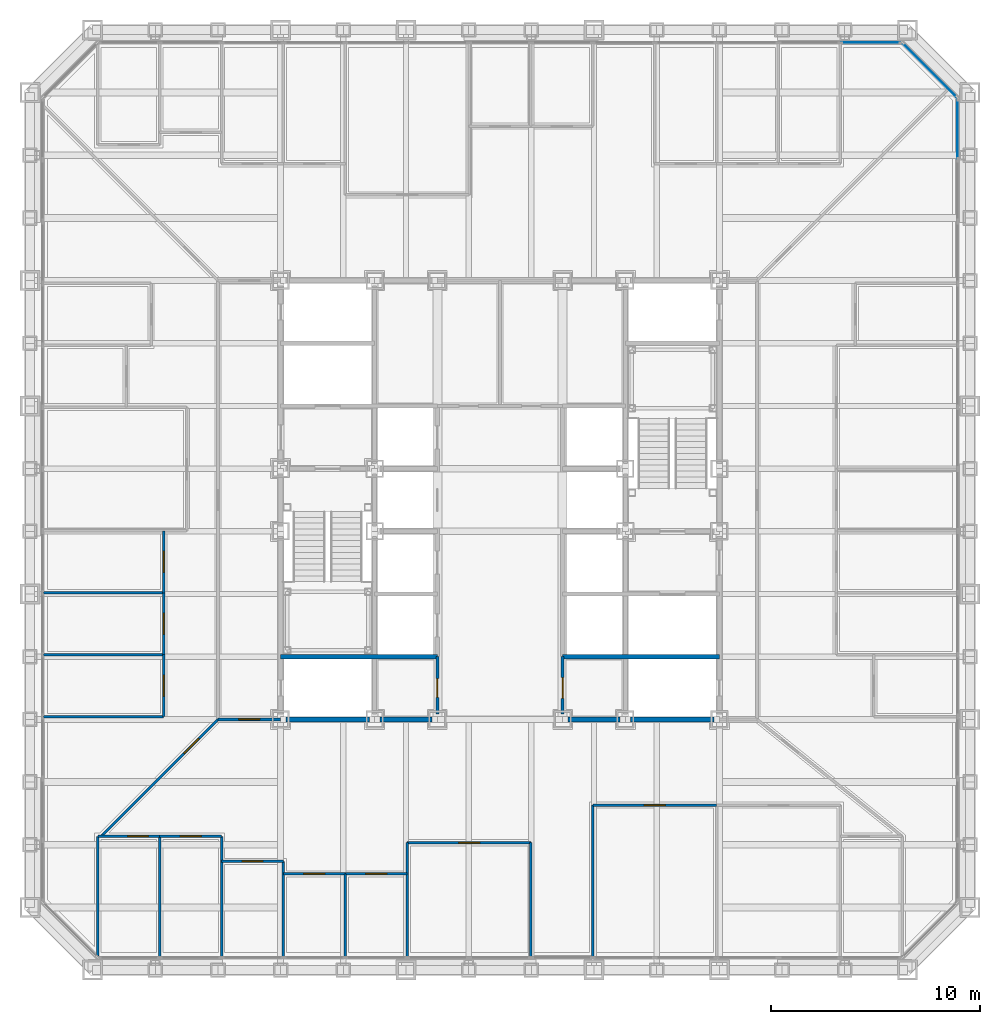
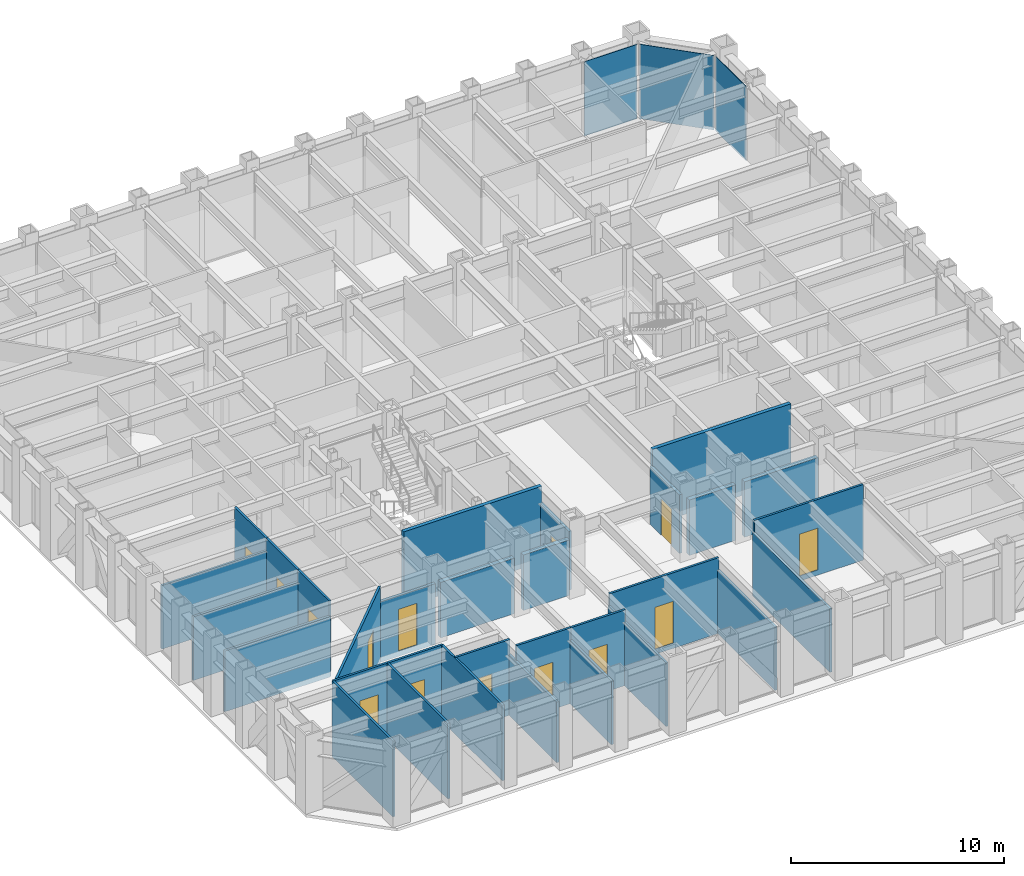
# One storey, part 8 of 17: 31 walls, 14 doors, 3 plates, 14 openings, 3 elements without a shape of their own.
"""IFC4 building model written with IfcOpenShell, lengths in metres."""

from ifc_helpers import new_model, si_unit, direction, frame, frame_2d, origin, origin_2d, place, context, subcontext, project, spatial, rectangle, extrude, material, layer, layer_set, type_object, element, fill, aggregate, save


model = new_model("IFC4")

# Units and contexts
model_context = context("Model", 3, precision=1e-05, world=origin(), true_north=direction((0.0, 1.0)))
body_context = subcontext(model_context, "Body", "Model", "MODEL_VIEW")
ifc_project = project(units=[si_unit("LENGTHUNIT", "METRE"), si_unit("AREAUNIT", "SQUARE_METRE"), si_unit("VOLUMEUNIT", "CUBIC_METRE"), si_unit("PLANEANGLEUNIT", "RADIAN"), si_unit("MASSUNIT", "GRAM", prefix="KILO")], contexts=[model_context])

# Site, building, storey
site_placement = place(None, origin())
site = spatial("IfcSite", under=ifc_project, at=site_placement, CompositionType="ELEMENT")
building_placement = place(site_placement, origin())
building = spatial("IfcBuilding", under=site, at=building_placement, Name="Chuquiago Exchange Tower", CompositionType="ELEMENT")
storey_placement = place(building_placement, frame((0.0, 0.0, 46.800048828125)))
storey = spatial("IfcBuildingStorey", under=building, at=storey_placement, Name="L09", CompositionType="ELEMENT", Elevation=46.800048828125)

# Curtain wall, plate
ifc_material_1 = material(Name="Aluminium curtain wall system", Category="aluminium")
ifc_layer_1 = layer(ifc_material_1, 0.25)
ifc_layer_set_1 = layer_set([ifc_layer_1], Name="CW1 trading floor curtain wall")
curtain_wall_type_1 = type_object("IfcCurtainWallType", Name="CW1 trading floor curtain wall", PredefinedType="NOTDEFINED", material=ifc_layer_set_1)
curtain_wall_1_placement = place(storey_placement, origin())
curtain_wall_1 = element("IfcCurtainWall", 1, at=curtain_wall_1_placement, inside=storey, type_object=curtain_wall_type_1, Name="CW1 curtain wall L09", PredefinedType="NOTDEFINED")
ifc_material_2 = material(Name="Insulated spandrel panel, pale anodised aluminium", Category="aluminium")
ifc_layer_2 = layer(ifc_material_2, 0.031982421875)
ifc_layer_set_2 = layer_set([ifc_layer_2], Name="CW1-P spandrel panel 32")
plate_type_1 = type_object("IfcPlateType", Name="CW1-P spandrel panel 32", PredefinedType="CURTAIN_PANEL", material=ifc_layer_set_2)
plate_1_placement = place(storey_placement, frame((44.39990234375, 40.251953125, -0.22509765625), z_axis=(0.0, 0.0, 1.0), x_axis=(0.0, 1.0, 0.0)))
plate_1 = element("IfcPlate", 2, at=plate_1_placement, type_object=plate_type_1, Name="CW1 panel 13.1", PredefinedType="CURTAIN_PANEL", context=body_context, shape_type="SweptSolid", body=[
    extrude(rectangle(XDim=2.849365234375, YDim=0.031982421875, at=origin_2d()), origin(), (0.0, 0.0, 1.0), 4.264892578125),
])
aggregate(curtain_wall_1, [plate_1])

curtain_wall_2_placement = place(storey_placement, origin())
curtain_wall_2 = element("IfcCurtainWall", 3, at=curtain_wall_2_placement, inside=storey, type_object=curtain_wall_type_1, Name="CW1 curtain wall L09", PredefinedType="NOTDEFINED")
plate_2_placement = place(storey_placement, frame((40.251953125, 44.39990234375, -0.22509765625), z_axis=(0.0, 0.0, 1.0), x_axis=(-1.0, 0.0, 0.0)))
plate_2 = element("IfcPlate", 4, at=plate_2_placement, type_object=plate_type_1, Name="CW1 panel 1.1", PredefinedType="CURTAIN_PANEL", context=body_context, shape_type="SweptSolid", body=[
    extrude(rectangle(XDim=2.849365234375, YDim=0.031982421875, at=origin_2d()), origin(), (0.0, 0.0, 1.0), 4.264892578125),
])
aggregate(curtain_wall_2, [plate_2])

ifc_material_3 = material(Name="Aluminium curtain wall system", Category="aluminium")
ifc_layer_3 = layer(ifc_material_3, 0.199951171875)
ifc_layer_set_3 = layer_set([ifc_layer_3], Name="CW3 facet curtain wall")
curtain_wall_type_2 = type_object("IfcCurtainWallType", Name="CW3 facet curtain wall", PredefinedType="NOTDEFINED", material=ifc_layer_set_3)
curtain_wall_3_placement = place(storey_placement, origin())
curtain_wall_3 = element("IfcCurtainWall", 5, at=curtain_wall_3_placement, inside=storey, type_object=curtain_wall_type_2, Name="CW3 curtain wall L09", PredefinedType="NOTDEFINED")
ifc_material_4 = material(Name="Insulated spandrel panel, pale anodised aluminium", Category="aluminium")
ifc_layer_4 = layer(ifc_material_4, 0.030029296875)
ifc_layer_set_4 = layer_set([ifc_layer_4], Name="CW3-P spandrel panel 30")
plate_type_2 = type_object("IfcPlateType", Name="CW3-P spandrel panel 30", PredefinedType="CURTAIN_PANEL", material=ifc_layer_set_4)
plate_3_placement = place(storey_placement, frame((43.07568359375, 43.07568359375, -0.235107421875), z_axis=(0.0, 0.0, 1.0), x_axis=(-0.707106781187, 0.707106781187, 0.0)))
plate_3 = element("IfcPlate", 6, at=plate_3_placement, type_object=plate_type_2, Name="CW3 panel 1.1", PredefinedType="CURTAIN_PANEL", context=body_context, shape_type="SweptSolid", body=[
    extrude(rectangle(XDim=3.615478515625, YDim=0.030029296875, at=origin_2d()), origin(), (0.0, 0.0, 1.0), 4.27490234375),
])
aggregate(curtain_wall_3, [plate_3])

# Walls
ifc_material_5 = material(Name="Concrete masonry, fully grouted", Category="masonry")
ifc_layer_5 = layer(ifc_material_5, 0.25)
ifc_layer_set_5 = layer_set([ifc_layer_5], Name="W1 core wall 250")
wall_type_1 = type_object("IfcWallType", Name="W1 core wall 250", PredefinedType="SOLIDWALL", material=ifc_layer_set_5)
wall_1_placement = place(storey_placement, frame((12.25, 12.0, 0.0), z_axis=(0.0, 0.0, 1.0), x_axis=(1.0, 0.0, 0.0)))
element("IfcWall", 7, at=wall_1_placement, inside=storey, type_object=wall_type_1, Name="CW-L09-01-0", PredefinedType="SOLIDWALL", context=body_context, shape_type="SweptSolid", body=[
    extrude(rectangle(XDim=4.0, YDim=0.25, at=frame_2d((2.0, 0.0))), origin(), (0.0, 0.0, 1.0), 3.181396484375),
])
for number, where, z_axis, x_axis, name in (
    (8, (16.75, 12.0, 0.0), (0.0, 0.0, 1.0), (1.0, 0.0, 0.0), "CW-L09-01-1"),
    (9, (25.75, 12.0, 0.0), (0.0, 0.0, 1.0), (1.0, 0.0, 0.0), "CW-L09-02-0"),
):
    element("IfcWall", number, at=place(storey_placement, frame(where, z_axis=z_axis, x_axis=x_axis)), inside=storey, type_object=wall_type_1, Name=name, PredefinedType="SOLIDWALL", context=body_context, shape_type="SweptSolid", body=[
        extrude(rectangle(XDim=2.5, YDim=0.25, at=frame_2d((1.25, 0.0))), origin(), (0.0, 0.0, 1.0), 3.181396484375),
    ])
wall_2_placement = place(storey_placement, frame((28.75, 12.0, 0.0), z_axis=(0.0, 0.0, 1.0), x_axis=(1.0, 0.0, 0.0)))
element("IfcWall", 10, at=wall_2_placement, inside=storey, type_object=wall_type_1, Name="CW-L09-02-1", PredefinedType="SOLIDWALL", context=body_context, shape_type="SweptSolid", body=[
    extrude(rectangle(XDim=4.0, YDim=0.25, at=frame_2d((2.0, 0.0))), origin(), (0.0, 0.0, 1.0), 3.181396484375),
])

# Wall, opening, door
ifc_material_6 = material(Name="Gypsum board on steel studs, acoustic insulation", Category="steel")
ifc_layer_6 = layer(ifc_material_6, 0.14990234375)
ifc_layer_set_6 = layer_set([ifc_layer_6], Name="W11 corridor wall 150")
wall_type_2 = type_object("IfcWallType", Name="W11 corridor wall 150", PredefinedType="PARTITIONING", material=ifc_layer_set_6)
wall_3_placement = place(storey_placement, frame((9.0, 12.0, -0.300048828125), z_axis=(0.0, 0.0, 1.0), x_axis=(1.0, 0.0, 0.0)))
wall_3 = element("IfcWall", 11, at=wall_3_placement, inside=storey, type_object=wall_type_2, Name="PW-L09-GWS0", PredefinedType="PARTITIONING", context=body_context, shape_type="SweptSolid", body=[
    extrude(rectangle(XDim=3.0, YDim=0.14990234375, at=frame_2d((1.5, 0.0))), origin(), (0.0, 0.0, 1.0), 3.4814453125),
])
opening_1_placement = place(wall_3_placement, frame((1.0, 0.0, 0.300048828125)))
opening_1 = element("IfcOpeningElement", 12, at=opening_1_placement, cuts=wall_3, Name="Opening L09-052", PredefinedType="OPENING", context=body_context, shape_type="SweptSolid", body=[
    extrude(rectangle(XDim=1.0, YDim=2.39990234375, at=frame_2d((0.5, 1.199951171875))), frame((0.0, 0.0849609375, 0.0), z_axis=(0.0, -1.0, 0.0), x_axis=(1.0, 0.0, 0.0)), (0.0, 0.0, 1.0), 0.169921875),
])
ifc_material_7 = material(Name="Timber door, laminate faced", Category="wood")
door_type_1 = type_object("IfcDoorType", Name="D9 room door 1000x2400", OperationType="SINGLE_SWING_LEFT", PredefinedType="DOOR", material=ifc_material_7)
door_1_placement = place(opening_1_placement, origin())
door_1 = element("IfcDoor", 13, at=door_1_placement, inside=storey, type_object=door_type_1, Name="Team area door", OperationType="SINGLE_SWING_RIGHT", OverallHeight=2.39990234375, OverallWidth=1.0, PredefinedType="DOOR", context=body_context, shape_type="SweptSolid", body=[
    extrude(rectangle(XDim=1.0, YDim=2.39990234375, at=frame_2d((0.5, 1.199951171875))), frame((0.0, 0.02490234375, 0.0), z_axis=(0.0, -1.0, 0.0), x_axis=(1.0, 0.0, 0.0)), (0.0, 0.0, 1.0), 0.050048828125),
])
fill(opening_1, door_1)

# Walls
ifc_material_8 = material(Name="Concrete masonry, fully grouted", Category="masonry")
ifc_layer_7 = layer(ifc_material_8, 0.199951171875)
ifc_layer_set_7 = layer_set([ifc_layer_7], Name="W2 shaft wall 200")
wall_type_3 = type_object("IfcWallType", Name="W2 shaft wall 200", PredefinedType="SOLIDWALL", material=ifc_layer_set_7)
for number, where, z_axis, x_axis, name in (
    (14, (12.0, 15.0, 0.0), (0.0, 0.0, 1.0), (1.0, 0.0, 0.0), "CW-L09-03-0"),
    (15, (25.5, 15.0, 0.0), (0.0, 0.0, 1.0), (1.0, 0.0, 0.0), "CW-L09-04-0"),
):
    element("IfcWall", number, at=place(storey_placement, frame(where, z_axis=z_axis, x_axis=x_axis)), inside=storey, type_object=wall_type_3, Name=name, PredefinedType="SOLIDWALL", context=body_context, shape_type="SweptSolid", body=[
        extrude(rectangle(XDim=7.5, YDim=0.199951171875, at=frame_2d((3.75, 0.0))), origin(), (0.0, 0.0, 1.0), 4.33984375),
    ])

# Wall, opening, door
ifc_material_9 = material(Name="Gypsum board on steel studs", Category="steel")
ifc_layer_8 = layer(ifc_material_9, 0.14990234375)
ifc_layer_set_8 = layer_set([ifc_layer_8], Name="W3 core partition 150")
wall_type_4 = type_object("IfcWallType", Name="W3 core partition 150", PredefinedType="PARTITIONING", material=ifc_layer_set_8)
wall_4_placement = place(storey_placement, frame((19.5, 12.25, 0.0), z_axis=(0.0, 0.0, 1.0), x_axis=(0.0, 1.0, 0.0)))
wall_4 = element("IfcWall", 16, at=wall_4_placement, inside=storey, type_object=wall_type_4, Name="CW-L09-18-0", PredefinedType="PARTITIONING", context=body_context, shape_type="SweptSolid", body=[
    extrude(rectangle(XDim=2.75, YDim=0.14990234375, at=frame_2d((1.375, 0.0))), origin(), (0.0, 0.0, 1.0), 3.364501953125),
])
opening_2_placement = place(wall_4_placement, frame((0.800048828125, 0.0, 0.0)))
opening_2 = element("IfcOpeningElement", 17, at=opening_2_placement, cuts=wall_4, Name="Opening L09-014", PredefinedType="OPENING", context=body_context, shape_type="SweptSolid", body=[
    extrude(rectangle(XDim=0.89990234375, YDim=2.10009765625, at=frame_2d((0.449951171875, 1.050048828125))), frame((0.0, 0.0849609375, 0.0), z_axis=(0.0, -1.0, 0.0), x_axis=(1.0, 0.0, 0.0)), (0.0, 0.0, 1.0), 0.169921875),
])
ifc_material_10 = material(Name="Timber door, laminate faced", Category="wood")
door_type_2 = type_object("IfcDoorType", Name="D7 toilet door 900x2100", OperationType="SINGLE_SWING_LEFT", PredefinedType="DOOR", material=ifc_material_10)
door_2_placement = place(opening_2_placement, frame((0.89990234375, 0.0, 0.0), z_axis=(0.0, 0.0, 1.0), x_axis=(-1.0, 0.0, 0.0)))
door_2 = element("IfcDoor", 18, at=door_2_placement, inside=storey, type_object=door_type_2, Name="Cleaner door", OperationType="SINGLE_SWING_RIGHT", OverallHeight=2.10009765625, OverallWidth=0.89990234375, PredefinedType="DOOR", context=body_context, shape_type="SweptSolid", body=[
    extrude(rectangle(XDim=0.89990234375, YDim=2.10009765625, at=frame_2d((0.449951171875, 1.050048828125))), frame((0.0, 0.02490234375, 0.0), z_axis=(0.0, -1.0, 0.0), x_axis=(1.0, 0.0, 0.0)), (0.0, 0.0, 1.0), 0.050048828125),
])
fill(opening_2, door_2)

wall_5_placement = place(storey_placement, frame((25.5, 12.25, 0.0), z_axis=(0.0, 0.0, 1.0), x_axis=(0.0, 1.0, 0.0)))
wall_5 = element("IfcWall", 19, at=wall_5_placement, inside=storey, type_object=wall_type_4, Name="CW-L09-21-0", PredefinedType="PARTITIONING", context=body_context, shape_type="SweptSolid", body=[
    extrude(rectangle(XDim=2.75, YDim=0.14990234375, at=frame_2d((1.375, 0.0))), origin(), (0.0, 0.0, 1.0), 3.364501953125),
])
opening_3_placement = place(wall_5_placement, frame((0.75, 0.0, 0.0)))
opening_3 = element("IfcOpeningElement", 20, at=opening_3_placement, cuts=wall_5, Name="Opening L09-013", PredefinedType="OPENING", context=body_context, shape_type="SweptSolid", body=[
    extrude(rectangle(XDim=1.0, YDim=2.10009765625, at=frame_2d((0.5, 1.050048828125))), frame((0.0, 0.0849609375, 0.0), z_axis=(0.0, -1.0, 0.0), x_axis=(1.0, 0.0, 0.0)), (0.0, 0.0, 1.0), 0.169921875),
])
ifc_material_11 = material(Name="Timber door, laminate faced", Category="wood")
door_type_3 = type_object("IfcDoorType", Name="D8 accessible toilet door 1000x2100", OperationType="SLIDING_TO_LEFT", PredefinedType="DOOR", material=ifc_material_11)
door_3_placement = place(opening_3_placement, origin())
door_3 = element("IfcDoor", 21, at=door_3_placement, inside=storey, type_object=door_type_3, Name="Accessible WC door", OperationType="SLIDING_TO_LEFT", OverallHeight=2.10009765625, OverallWidth=1.0, PredefinedType="DOOR", context=body_context, shape_type="SweptSolid", body=[
    extrude(rectangle(XDim=1.0, YDim=2.10009765625, at=frame_2d((0.5, 1.050048828125))), frame((0.0, 0.02490234375, 0.0), z_axis=(0.0, -1.0, 0.0), x_axis=(1.0, 0.0, 0.0)), (0.0, 0.0, 1.0), 0.050048828125),
])
fill(opening_3, door_3)

# Walls
ifc_material_12 = material(Name="Gypsum board on steel studs", Category="steel")
ifc_layer_9 = layer(ifc_material_12, 0.1201171875)
ifc_layer_set_9 = layer_set([ifc_layer_9], Name="W4 partition 120")
wall_type_5 = type_object("IfcWallType", Name="W4 partition 120", PredefinedType="PARTITIONING", material=ifc_layer_set_9)
wall_6_placement = place(storey_placement, frame((3.24853515625, 0.666015625, -0.300048828125), z_axis=(0.0, 0.0, 1.0), x_axis=(0.0, 1.0, 0.0)))
element("IfcWall", 22, at=wall_6_placement, inside=storey, type_object=wall_type_5, Name="PW-L09-S00325", PredefinedType="PARTITIONING", context=body_context, shape_type="SweptSolid", body=[
    extrude(rectangle(XDim=5.73388671875, YDim=0.1201171875, at=frame_2d((2.866943359375, 0.0))), origin(), (0.0, 0.0, 1.0), 4.340087890625),
])
for number, where, z_axis, x_axis, name in (
    (23, (6.210205078125, 0.657470703125, -0.300048828125), (0.0, 0.0, 1.0), (0.0, 1.0, 0.0), "PW-L09-S00621"),
    (24, (9.172119140625, 0.657470703125, -0.300048828125), (0.0, 0.0, 1.0), (0.0, 1.0, 0.0), "PW-L09-S00917"),
):
    element("IfcWall", number, at=place(storey_placement, frame(where, z_axis=z_axis, x_axis=x_axis)), inside=storey, type_object=wall_type_5, Name=name, PredefinedType="PARTITIONING", context=body_context, shape_type="SweptSolid", body=[
        extrude(rectangle(XDim=5.742431640625, YDim=0.1201171875, at=frame_2d((2.87109375, 0.0))), origin(), (0.0, 0.0, 1.0), 4.340087890625),
    ])
wall_7_placement = place(storey_placement, frame((12.1337890625, 0.657470703125, -0.300048828125), z_axis=(0.0, 0.0, 1.0), x_axis=(0.0, 1.0, 0.0)))
element("IfcWall", 25, at=wall_7_placement, inside=storey, type_object=wall_type_5, Name="PW-L09-S01213", PredefinedType="PARTITIONING", context=body_context, shape_type="SweptSolid", body=[
    extrude(rectangle(XDim=4.54248046875, YDim=0.1201171875, at=frame_2d((2.271240234375, 0.0))), origin(), (0.0, 0.0, 1.0), 3.4814453125),
])
wall_8_placement = place(storey_placement, frame((15.095703125, 0.657470703125, -0.300048828125), z_axis=(0.0, 0.0, 1.0), x_axis=(0.0, 1.0, 0.0)))
element("IfcWall", 26, at=wall_8_placement, inside=storey, type_object=wall_type_5, Name="PW-L09-S01510", PredefinedType="PARTITIONING", context=body_context, shape_type="SweptSolid", body=[
    extrude(rectangle(XDim=3.942626953125, YDim=0.1201171875, at=frame_2d((1.97119140625, 0.0))), origin(), (0.0, 0.0, 1.0), 3.646484375),
])
for number, where, z_axis, x_axis, name in (
    (27, (18.057373046875, 0.657470703125, -0.300048828125), (0.0, 0.0, 1.0), (0.0, 1.0, 0.0), "PW-L09-S01806"),
    (28, (23.98095703125, 0.657470703125, -0.300048828125), (0.0, 0.0, 1.0), (0.0, 1.0, 0.0), "PW-L09-S02398"),
):
    element("IfcWall", number, at=place(storey_placement, frame(where, z_axis=z_axis, x_axis=x_axis)), inside=storey, type_object=wall_type_5, Name=name, PredefinedType="PARTITIONING", context=body_context, shape_type="SweptSolid", body=[
        extrude(rectangle(XDim=5.442626953125, YDim=0.1201171875, at=frame_2d((2.72119140625, 0.0))), origin(), (0.0, 0.0, 1.0), 3.646484375),
    ])
wall_9_placement = place(storey_placement, frame((26.942626953125, 0.657470703125, -0.300048828125), z_axis=(0.0, 0.0, 1.0), x_axis=(0.0, 1.0, 0.0)))
element("IfcWall", 29, at=wall_9_placement, inside=storey, type_object=wall_type_5, Name="PW-L09-S02694", PredefinedType="PARTITIONING", context=body_context, shape_type="SweptSolid", body=[
    extrude(rectangle(XDim=7.242431640625, YDim=0.1201171875, at=frame_2d((3.62109375, 0.0))), origin(), (0.0, 0.0, 1.0), 3.646484375),
])

# Wall, opening, door
wall_10_placement = place(storey_placement, frame((3.24853515625, 6.39990234375, -0.300048828125), z_axis=(0.0, 0.0, 1.0), x_axis=(1.0, 0.0, 0.0)))
wall_10 = element("IfcWall", 30, at=wall_10_placement, inside=storey, type_object=wall_type_5, Name="PW-L09-SF00325", PredefinedType="PARTITIONING", context=body_context, shape_type="SweptSolid", body=[
    extrude(rectangle(XDim=2.961669921875, YDim=0.1201171875, at=frame_2d((1.48095703125, 0.0))), origin(), (0.0, 0.0, 1.0), 4.340087890625),
])
opening_4_placement = place(wall_10_placement, frame((1.42529296875, 0.0, 0.300048828125)))
opening_4 = element("IfcOpeningElement", 31, at=opening_4_placement, cuts=wall_10, Name="Opening L09-019", PredefinedType="OPENING", context=body_context, shape_type="SweptSolid", body=[
    extrude(rectangle(XDim=1.0, YDim=2.39990234375, at=frame_2d((0.5, 1.199951171875))), frame((0.0, 0.070068359375, 0.0), z_axis=(0.0, -1.0, 0.0), x_axis=(1.0, 0.0, 0.0)), (0.0, 0.0, 1.0), 0.14013671875),
])
door_4_placement = place(opening_4_placement, frame((1.0, 0.0, 0.0), z_axis=(0.0, 0.0, 1.0), x_axis=(-1.0, 0.0, 0.0)))
door_4 = element("IfcDoor", 32, at=door_4_placement, inside=storey, type_object=door_type_1, Name="Office door", OperationType="SINGLE_SWING_LEFT", OverallHeight=2.39990234375, OverallWidth=1.0, PredefinedType="DOOR", context=body_context, shape_type="SweptSolid", body=[
    extrude(rectangle(XDim=1.0, YDim=2.39990234375, at=frame_2d((0.5, 1.199951171875))), frame((0.0, 0.02490234375, 0.0), z_axis=(0.0, -1.0, 0.0), x_axis=(1.0, 0.0, 0.0)), (0.0, 0.0, 1.0), 0.050048828125),
])
fill(opening_4, door_4)

wall_11_placement = place(storey_placement, frame((6.210205078125, 6.39990234375, -0.300048828125), z_axis=(0.0, 0.0, 1.0), x_axis=(1.0, 0.0, 0.0)))
wall_11 = element("IfcWall", 33, at=wall_11_placement, inside=storey, type_object=wall_type_5, Name="PW-L09-SF00621", PredefinedType="PARTITIONING", context=body_context, shape_type="SweptSolid", body=[
    extrude(rectangle(XDim=2.9619140625, YDim=0.1201171875, at=frame_2d((1.48095703125, 0.0))), origin(), (0.0, 0.0, 1.0), 4.340087890625),
])
opening_5_placement = place(wall_11_placement, frame((0.98095703125, 0.0, 0.300048828125)))
opening_5 = element("IfcOpeningElement", 34, at=opening_5_placement, cuts=wall_11, Name="Opening L09-020", PredefinedType="OPENING", context=body_context, shape_type="SweptSolid", body=[
    extrude(rectangle(XDim=1.0, YDim=2.39990234375, at=frame_2d((0.5, 1.199951171875))), frame((0.0, 0.070068359375, 0.0), z_axis=(0.0, -1.0, 0.0), x_axis=(1.0, 0.0, 0.0)), (0.0, 0.0, 1.0), 0.14013671875),
])
door_5_placement = place(opening_5_placement, frame((1.0, 0.0, 0.0), z_axis=(0.0, 0.0, 1.0), x_axis=(-1.0, 0.0, 0.0)))
door_5 = element("IfcDoor", 35, at=door_5_placement, inside=storey, type_object=door_type_1, Name="Office door", OperationType="SINGLE_SWING_RIGHT", OverallHeight=2.39990234375, OverallWidth=1.0, PredefinedType="DOOR", context=body_context, shape_type="SweptSolid", body=[
    extrude(rectangle(XDim=1.0, YDim=2.39990234375, at=frame_2d((0.5, 1.199951171875))), frame((0.0, 0.02490234375, 0.0), z_axis=(0.0, -1.0, 0.0), x_axis=(1.0, 0.0, 0.0)), (0.0, 0.0, 1.0), 0.050048828125),
])
fill(opening_5, door_5)

wall_12_placement = place(storey_placement, frame((9.172119140625, 5.199951171875, -0.300048828125), z_axis=(0.0, 0.0, 1.0), x_axis=(1.0, 0.0, 0.0)))
wall_12 = element("IfcWall", 36, at=wall_12_placement, inside=storey, type_object=wall_type_5, Name="PW-L09-SF00917", PredefinedType="PARTITIONING", context=body_context, shape_type="SweptSolid", body=[
    extrude(rectangle(XDim=2.961669921875, YDim=0.1201171875, at=frame_2d((1.48095703125, 0.0))), origin(), (0.0, 0.0, 1.0), 4.340087890625),
])
opening_6_placement = place(wall_12_placement, frame((0.98095703125, 0.0, 0.300048828125)))
opening_6 = element("IfcOpeningElement", 37, at=opening_6_placement, cuts=wall_12, Name="Opening L09-021", PredefinedType="OPENING", context=body_context, shape_type="SweptSolid", body=[
    extrude(rectangle(XDim=1.0, YDim=2.39990234375, at=frame_2d((0.5, 1.199951171875))), frame((0.0, 0.070068359375, 0.0), z_axis=(0.0, -1.0, 0.0), x_axis=(1.0, 0.0, 0.0)), (0.0, 0.0, 1.0), 0.14013671875),
])
door_6_placement = place(opening_6_placement, frame((1.0, 0.0, 0.0), z_axis=(0.0, 0.0, 1.0), x_axis=(-1.0, 0.0, 0.0)))
door_6 = element("IfcDoor", 38, at=door_6_placement, inside=storey, type_object=door_type_1, Name="Pantry door", OperationType="SINGLE_SWING_LEFT", OverallHeight=2.39990234375, OverallWidth=1.0, PredefinedType="DOOR", context=body_context, shape_type="SweptSolid", body=[
    extrude(rectangle(XDim=1.0, YDim=2.39990234375, at=frame_2d((0.5, 1.199951171875))), frame((0.0, 0.02490234375, 0.0), z_axis=(0.0, -1.0, 0.0), x_axis=(1.0, 0.0, 0.0)), (0.0, 0.0, 1.0), 0.050048828125),
])
fill(opening_6, door_6)

wall_13_placement = place(storey_placement, frame((12.1337890625, 4.60009765625, -0.300048828125), z_axis=(0.0, 0.0, 1.0), x_axis=(1.0, 0.0, 0.0)))
wall_13 = element("IfcWall", 39, at=wall_13_placement, inside=storey, type_object=wall_type_5, Name="PW-L09-SF01213", PredefinedType="PARTITIONING", context=body_context, shape_type="SweptSolid", body=[
    extrude(rectangle(XDim=2.9619140625, YDim=0.1201171875, at=frame_2d((1.48095703125, 0.0))), origin(), (0.0, 0.0, 1.0), 4.340087890625),
])
opening_7_placement = place(wall_13_placement, frame((0.98095703125, 0.0, 0.300048828125)))
opening_7 = element("IfcOpeningElement", 40, at=opening_7_placement, cuts=wall_13, Name="Opening L09-022", PredefinedType="OPENING", context=body_context, shape_type="SweptSolid", body=[
    extrude(rectangle(XDim=1.0, YDim=2.39990234375, at=frame_2d((0.5, 1.199951171875))), frame((0.0, 0.070068359375, 0.0), z_axis=(0.0, -1.0, 0.0), x_axis=(1.0, 0.0, 0.0)), (0.0, 0.0, 1.0), 0.14013671875),
])
ifc_material_13 = material(Name="Timber frame door, full height glazed panel", Category="wood")
door_type_4 = type_object("IfcDoorType", Name="D14 glazed meeting room door 1000x2400", OperationType="SINGLE_SWING_LEFT", PredefinedType="DOOR", material=ifc_material_13)
door_7_placement = place(opening_7_placement, frame((1.0, 0.0, 0.0), z_axis=(0.0, 0.0, 1.0), x_axis=(-1.0, 0.0, 0.0)))
door_7 = element("IfcDoor", 41, at=door_7_placement, inside=storey, type_object=door_type_4, Name="Focus room door", OperationType="SINGLE_SWING_LEFT", OverallHeight=2.39990234375, OverallWidth=1.0, PredefinedType="DOOR", context=body_context, shape_type="SweptSolid", body=[
    extrude(rectangle(XDim=1.0, YDim=2.39990234375, at=frame_2d((0.5, 1.199951171875))), frame((0.0, 0.02490234375, 0.0), z_axis=(0.0, -1.0, 0.0), x_axis=(1.0, 0.0, 0.0)), (0.0, 0.0, 1.0), 0.050048828125),
])
fill(opening_7, door_7)

wall_14_placement = place(storey_placement, frame((15.095703125, 4.60009765625, -0.300048828125), z_axis=(0.0, 0.0, 1.0), x_axis=(1.0, 0.0, 0.0)))
wall_14 = element("IfcWall", 42, at=wall_14_placement, inside=storey, type_object=wall_type_5, Name="PW-L09-SF01510", PredefinedType="PARTITIONING", context=body_context, shape_type="SweptSolid", body=[
    extrude(rectangle(XDim=2.961669921875, YDim=0.1201171875, at=frame_2d((1.48095703125, 0.0))), origin(), (0.0, 0.0, 1.0), 4.340087890625),
])
opening_8_placement = place(wall_14_placement, frame((0.98095703125, 0.0, 0.300048828125)))
opening_8 = element("IfcOpeningElement", 43, at=opening_8_placement, cuts=wall_14, Name="Opening L09-023", PredefinedType="OPENING", context=body_context, shape_type="SweptSolid", body=[
    extrude(rectangle(XDim=1.0, YDim=2.39990234375, at=frame_2d((0.5, 1.199951171875))), frame((0.0, 0.070068359375, 0.0), z_axis=(0.0, -1.0, 0.0), x_axis=(1.0, 0.0, 0.0)), (0.0, 0.0, 1.0), 0.14013671875),
])
door_8_placement = place(opening_8_placement, frame((1.0, 0.0, 0.0), z_axis=(0.0, 0.0, 1.0), x_axis=(-1.0, 0.0, 0.0)))
door_8 = element("IfcDoor", 44, at=door_8_placement, inside=storey, type_object=door_type_4, Name="Focus room door", OperationType="SINGLE_SWING_RIGHT", OverallHeight=2.39990234375, OverallWidth=1.0, PredefinedType="DOOR", context=body_context, shape_type="SweptSolid", body=[
    extrude(rectangle(XDim=1.0, YDim=2.39990234375, at=frame_2d((0.5, 1.199951171875))), frame((0.0, 0.02490234375, 0.0), z_axis=(0.0, -1.0, 0.0), x_axis=(1.0, 0.0, 0.0)), (0.0, 0.0, 1.0), 0.050048828125),
])
fill(opening_8, door_8)

wall_15_placement = place(storey_placement, frame((18.057373046875, 6.10009765625, -0.300048828125), z_axis=(0.0, 0.0, 1.0), x_axis=(1.0, 0.0, 0.0)))
wall_15 = element("IfcWall", 45, at=wall_15_placement, inside=storey, type_object=wall_type_5, Name="PW-L09-SF01806", PredefinedType="PARTITIONING", context=body_context, shape_type="SweptSolid", body=[
    extrude(rectangle(XDim=5.923583984375, YDim=0.1201171875, at=frame_2d((2.9619140625, 0.0))), origin(), (0.0, 0.0, 1.0), 4.340087890625),
])
opening_9_placement = place(wall_15_placement, frame((2.461669921875, 0.0, 0.300048828125)))
opening_9 = element("IfcOpeningElement", 46, at=opening_9_placement, cuts=wall_15, Name="Opening L09-024", PredefinedType="OPENING", context=body_context, shape_type="SweptSolid", body=[
    extrude(rectangle(XDim=1.0, YDim=2.39990234375, at=frame_2d((0.5, 1.199951171875))), frame((0.0, 0.070068359375, 0.0), z_axis=(0.0, -1.0, 0.0), x_axis=(1.0, 0.0, 0.0)), (0.0, 0.0, 1.0), 0.14013671875),
])
door_9_placement = place(opening_9_placement, frame((1.0, 0.0, 0.0), z_axis=(0.0, 0.0, 1.0), x_axis=(-1.0, 0.0, 0.0)))
door_9 = element("IfcDoor", 47, at=door_9_placement, inside=storey, type_object=door_type_4, Name="Meeting room door", OperationType="SINGLE_SWING_RIGHT", OverallHeight=2.39990234375, OverallWidth=1.0, PredefinedType="DOOR", context=body_context, shape_type="SweptSolid", body=[
    extrude(rectangle(XDim=1.0, YDim=2.39990234375, at=frame_2d((0.5, 1.199951171875))), frame((0.0, 0.02490234375, 0.0), z_axis=(0.0, -1.0, 0.0), x_axis=(1.0, 0.0, 0.0)), (0.0, 0.0, 1.0), 0.050048828125),
])
fill(opening_9, door_9)

wall_16_placement = place(storey_placement, frame((26.942626953125, 7.89990234375, -0.300048828125), z_axis=(0.0, 0.0, 1.0), x_axis=(1.0, 0.0, 0.0)))
wall_16 = element("IfcWall", 48, at=wall_16_placement, inside=storey, type_object=wall_type_5, Name="PW-L09-SF02694", PredefinedType="PARTITIONING", context=body_context, shape_type="SweptSolid", body=[
    extrude(rectangle(XDim=5.923583984375, YDim=0.1201171875, at=frame_2d((2.9619140625, 0.0))), origin(), (0.0, 0.0, 1.0), 4.340087890625),
])
opening_10_placement = place(wall_16_placement, frame((2.4619140625, 0.0, 0.300048828125)))
opening_10 = element("IfcOpeningElement", 49, at=opening_10_placement, cuts=wall_16, Name="Opening L09-025", PredefinedType="OPENING", context=body_context, shape_type="SweptSolid", body=[
    extrude(rectangle(XDim=1.0, YDim=2.39990234375, at=frame_2d((0.5, 1.199951171875))), frame((0.0, 0.070068359375, 0.0), z_axis=(0.0, -1.0, 0.0), x_axis=(1.0, 0.0, 0.0)), (0.0, 0.0, 1.0), 0.14013671875),
])
door_10_placement = place(opening_10_placement, frame((1.0, 0.0, 0.0), z_axis=(0.0, 0.0, 1.0), x_axis=(-1.0, 0.0, 0.0)))
door_10 = element("IfcDoor", 50, at=door_10_placement, inside=storey, type_object=door_type_1, Name="Risk management office door", OperationType="SINGLE_SWING_RIGHT", OverallHeight=2.39990234375, OverallWidth=1.0, PredefinedType="DOOR", context=body_context, shape_type="SweptSolid", body=[
    extrude(rectangle(XDim=1.0, YDim=2.39990234375, at=frame_2d((0.5, 1.199951171875))), frame((0.0, 0.02490234375, 0.0), z_axis=(0.0, -1.0, 0.0), x_axis=(1.0, 0.0, 0.0)), (0.0, 0.0, 1.0), 0.050048828125),
])
fill(opening_10, door_10)

# Walls
wall_17_placement = place(storey_placement, frame((0.657470703125, 12.1337890625, -0.300048828125), z_axis=(0.0, 0.0, 1.0), x_axis=(1.0, 0.0, 0.0)))
element("IfcWall", 51, at=wall_17_placement, inside=storey, type_object=wall_type_5, Name="PW-L09-W01213", PredefinedType="PARTITIONING", context=body_context, shape_type="SweptSolid", body=[
    extrude(rectangle(XDim=5.742431640625, YDim=0.1201171875, at=frame_2d((2.87109375, 0.0))), origin(), (0.0, 0.0, 1.0), 3.4814453125),
])
for number, where, z_axis, x_axis, name in (
    (52, (0.657470703125, 15.095703125, -0.300048828125), (0.0, 0.0, 1.0), (1.0, 0.0, 0.0), "PW-L09-W01510"),
    (53, (0.657470703125, 18.057373046875, -0.300048828125), (0.0, 0.0, 1.0), (1.0, 0.0, 0.0), "PW-L09-W01806"),
):
    element("IfcWall", number, at=place(storey_placement, frame(where, z_axis=z_axis, x_axis=x_axis)), inside=storey, type_object=wall_type_5, Name=name, PredefinedType="PARTITIONING", context=body_context, shape_type="SweptSolid", body=[
        extrude(rectangle(XDim=5.742431640625, YDim=0.1201171875, at=frame_2d((2.87109375, 0.0))), origin(), (0.0, 0.0, 1.0), 3.646484375),
    ])

# Wall, opening, door
wall_18_placement = place(storey_placement, frame((6.39990234375, 12.1337890625, -0.300048828125), z_axis=(0.0, 0.0, 1.0), x_axis=(0.0, 1.0, 0.0)))
wall_18 = element("IfcWall", 54, at=wall_18_placement, inside=storey, type_object=wall_type_5, Name="PW-L09-WF01213", PredefinedType="PARTITIONING", context=body_context, shape_type="SweptSolid", body=[
    extrude(rectangle(XDim=2.9619140625, YDim=0.1201171875, at=frame_2d((1.48095703125, 0.0))), origin(), (0.0, 0.0, 1.0), 4.340087890625),
])
opening_11_placement = place(wall_18_placement, frame((0.98095703125, 0.0, 0.300048828125)))
opening_11 = element("IfcOpeningElement", 55, at=opening_11_placement, cuts=wall_18, Name="Opening L09-044", PredefinedType="OPENING", context=body_context, shape_type="SweptSolid", body=[
    extrude(rectangle(XDim=1.0, YDim=2.39990234375, at=frame_2d((0.5, 1.199951171875))), frame((0.0, 0.070068359375, 0.0), z_axis=(0.0, -1.0, 0.0), x_axis=(1.0, 0.0, 0.0)), (0.0, 0.0, 1.0), 0.14013671875),
])
door_11_placement = place(opening_11_placement, origin())
door_11 = element("IfcDoor", 56, at=door_11_placement, inside=storey, type_object=door_type_4, Name="Meeting room door", OperationType="SINGLE_SWING_RIGHT", OverallHeight=2.39990234375, OverallWidth=1.0, PredefinedType="DOOR", context=body_context, shape_type="SweptSolid", body=[
    extrude(rectangle(XDim=1.0, YDim=2.39990234375, at=frame_2d((0.5, 1.199951171875))), frame((0.0, 0.02490234375, 0.0), z_axis=(0.0, -1.0, 0.0), x_axis=(1.0, 0.0, 0.0)), (0.0, 0.0, 1.0), 0.050048828125),
])
fill(opening_11, door_11)

wall_19_placement = place(storey_placement, frame((6.39990234375, 15.095703125, -0.300048828125), z_axis=(0.0, 0.0, 1.0), x_axis=(0.0, 1.0, 0.0)))
wall_19 = element("IfcWall", 57, at=wall_19_placement, inside=storey, type_object=wall_type_5, Name="PW-L09-WF01510", PredefinedType="PARTITIONING", context=body_context, shape_type="SweptSolid", body=[
    extrude(rectangle(XDim=2.961669921875, YDim=0.1201171875, at=frame_2d((1.48095703125, 0.0))), origin(), (0.0, 0.0, 1.0), 4.340087890625),
])
opening_12_placement = place(wall_19_placement, frame((0.98095703125, 0.0, 0.300048828125)))
opening_12 = element("IfcOpeningElement", 58, at=opening_12_placement, cuts=wall_19, Name="Opening L09-045", PredefinedType="OPENING", context=body_context, shape_type="SweptSolid", body=[
    extrude(rectangle(XDim=1.0, YDim=2.39990234375, at=frame_2d((0.5, 1.199951171875))), frame((0.0, 0.070068359375, 0.0), z_axis=(0.0, -1.0, 0.0), x_axis=(1.0, 0.0, 0.0)), (0.0, 0.0, 1.0), 0.14013671875),
])
door_12_placement = place(opening_12_placement, origin())
door_12 = element("IfcDoor", 59, at=door_12_placement, inside=storey, type_object=door_type_4, Name="Meeting room door", OperationType="SINGLE_SWING_LEFT", OverallHeight=2.39990234375, OverallWidth=1.0, PredefinedType="DOOR", context=body_context, shape_type="SweptSolid", body=[
    extrude(rectangle(XDim=1.0, YDim=2.39990234375, at=frame_2d((0.5, 1.199951171875))), frame((0.0, 0.02490234375, 0.0), z_axis=(0.0, -1.0, 0.0), x_axis=(1.0, 0.0, 0.0)), (0.0, 0.0, 1.0), 0.050048828125),
])
fill(opening_12, door_12)

wall_20_placement = place(storey_placement, frame((6.39990234375, 18.057373046875, -0.300048828125), z_axis=(0.0, 0.0, 1.0), x_axis=(0.0, 1.0, 0.0)))
wall_20 = element("IfcWall", 60, at=wall_20_placement, inside=storey, type_object=wall_type_5, Name="PW-L09-WF01806", PredefinedType="PARTITIONING", context=body_context, shape_type="SweptSolid", body=[
    extrude(rectangle(XDim=2.961669921875, YDim=0.1201171875, at=frame_2d((1.48095703125, 0.0))), origin(), (0.0, 0.0, 1.0), 4.340087890625),
])
opening_13_placement = place(wall_20_placement, frame((0.98095703125, 0.0, 0.300048828125)))
opening_13 = element("IfcOpeningElement", 61, at=opening_13_placement, cuts=wall_20, Name="Opening L09-046", PredefinedType="OPENING", context=body_context, shape_type="SweptSolid", body=[
    extrude(rectangle(XDim=1.0, YDim=2.39990234375, at=frame_2d((0.5, 1.199951171875))), frame((0.0, 0.070068359375, 0.0), z_axis=(0.0, -1.0, 0.0), x_axis=(1.0, 0.0, 0.0)), (0.0, 0.0, 1.0), 0.14013671875),
])
door_13_placement = place(opening_13_placement, origin())
door_13 = element("IfcDoor", 62, at=door_13_placement, inside=storey, type_object=door_type_4, Name="Meeting room door", OperationType="SINGLE_SWING_RIGHT", OverallHeight=2.39990234375, OverallWidth=1.0, PredefinedType="DOOR", context=body_context, shape_type="SweptSolid", body=[
    extrude(rectangle(XDim=1.0, YDim=2.39990234375, at=frame_2d((0.5, 1.199951171875))), frame((0.0, 0.02490234375, 0.0), z_axis=(0.0, -1.0, 0.0), x_axis=(1.0, 0.0, 0.0)), (0.0, 0.0, 1.0), 0.050048828125),
])
fill(opening_13, door_13)

wall_21_placement = place(storey_placement, frame((9.0, 12.0, -0.300048828125), z_axis=(0.0, 0.0, 1.0), x_axis=(-0.707106781187, -0.707106781187, 0.0)))
wall_21 = element("IfcWall", 63, at=wall_21_placement, inside=storey, type_object=wall_type_5, Name="PW-L09-QSW", PredefinedType="PARTITIONING", context=body_context, shape_type="SweptSolid", body=[
    extrude(rectangle(XDim=7.921142578125, YDim=0.1201171875, at=frame_2d((3.96044921875, 0.0))), origin(), (0.0, 0.0, 1.0), 4.340087890625),
])
opening_14_placement = place(wall_21_placement, frame((1.300048828125, 0.0, 0.300048828125)))
opening_14 = element("IfcOpeningElement", 64, at=opening_14_placement, cuts=wall_21, Name="Opening L09-056", PredefinedType="OPENING", context=body_context, shape_type="SweptSolid", body=[
    extrude(rectangle(XDim=1.0, YDim=2.39990234375, at=frame_2d((0.5, 1.199951171875))), frame((0.0, 0.070068359375, 0.0), z_axis=(0.0, -1.0, 0.0), x_axis=(1.0, 0.0, 0.0)), (0.0, 0.0, 1.0), 0.14013671875),
])
door_14_placement = place(opening_14_placement, frame((1.0, 0.0, 0.0), z_axis=(0.0, 0.0, 1.0), x_axis=(-1.0, 0.0, 0.0)))
door_14 = element("IfcDoor", 65, at=door_14_placement, inside=storey, type_object=door_type_1, Name="Team area door", OperationType="SINGLE_SWING_RIGHT", OverallHeight=2.39990234375, OverallWidth=1.0, PredefinedType="DOOR", context=body_context, shape_type="SweptSolid", body=[
    extrude(rectangle(XDim=1.0, YDim=2.39990234375, at=frame_2d((0.5, 1.199951171875))), frame((0.0, 0.02490234375, 0.0), z_axis=(0.0, -1.0, 0.0), x_axis=(1.0, 0.0, 0.0)), (0.0, 0.0, 1.0), 0.050048828125),
])
fill(opening_14, door_14)

save(model, "model.ifc")
